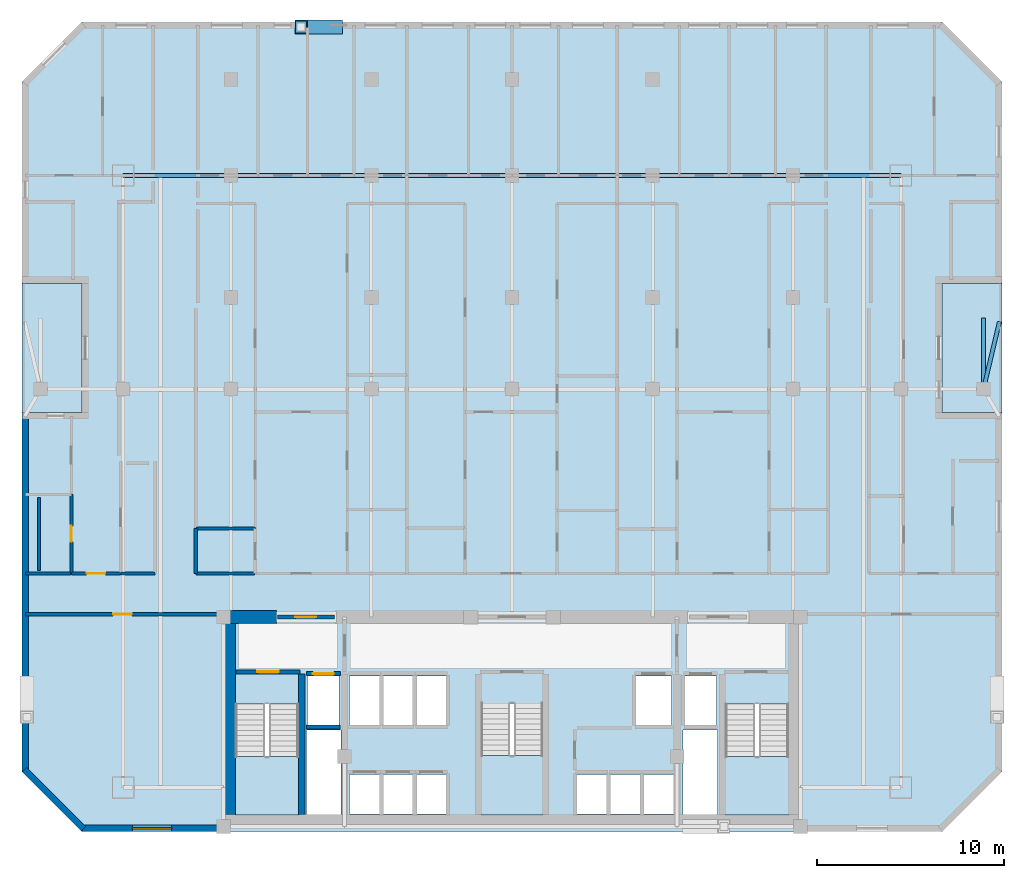
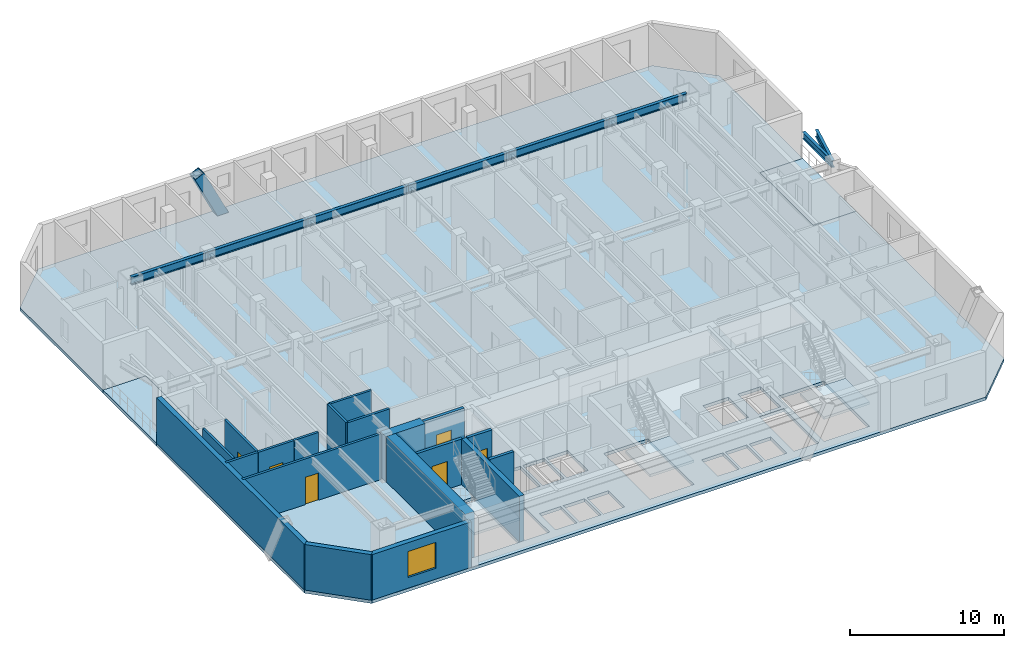
# One storey, part 2 of 11: 19 walls, 8 beams, 6 doors, 6 slabs, 1 member, 1 window, 7 openings, 3 elements without a shape of their own.
"""IFC4 building model written with IfcOpenShell, lengths in metres."""

from ifc_helpers import new_model, si_unit, direction, frame, frame_2d, origin, origin_2d, place, context, subcontext, project, spatial, polyline, rectangle, hollow_rectangle, i_section, outline, extrude, material, layer, layer_set, material_profile, profile_set, type_object, element, fill, aggregate, save


model = new_model("IFC4")

# Units and contexts
model_context = context("Model", 3, precision=1e-05, world=origin(), true_north=direction((0.0, 1.0)))
body_context = subcontext(model_context, "Body", "Model", "MODEL_VIEW")
ifc_project = project(units=[si_unit("LENGTHUNIT", "METRE"), si_unit("AREAUNIT", "SQUARE_METRE"), si_unit("VOLUMEUNIT", "CUBIC_METRE"), si_unit("PLANEANGLEUNIT", "RADIAN"), si_unit("MASSUNIT", "GRAM", prefix="KILO")], contexts=[model_context])

# Site, building, storey
site_placement = place(None, origin())
site = spatial("IfcSite", under=ifc_project, at=site_placement, CompositionType="ELEMENT")
building_placement = place(site_placement, origin())
building = spatial("IfcBuilding", under=site, at=building_placement, Name="Ventersveld Concourse Tower", CompositionType="ELEMENT")
storey_placement = place(building_placement, frame((0.0, 0.0, 111.85009765625)))
storey = spatial("IfcBuildingStorey", under=building, at=storey_placement, Name="L27", CompositionType="ELEMENT", Elevation=111.85009765625)

# Beams
ifc_material_1 = material(Name="Structural steel S355J2", Category="steel")
ifc_material_profile_1 = material_profile(ifc_material_1, i_section(OverallWidth=0.230224609375, OverallDepth=0.6171875, WebThickness=0.01318359375, FlangeThickness=0.022216796875, FilletRadius=0.0126953125, at=origin_2d()), Name="UB 610x229x140")
ifc_profile_set_1 = profile_set([ifc_material_profile_1], Name="Structural steel S355J2")
beam_type_1 = type_object("IfcBeamType", Name="GRD-UB610", PredefinedType="USERDEFINED", material=ifc_profile_set_1)
beam_1_placement = place(storey_placement, frame((8.0, 35.0, 3.291259765625), z_axis=(1.0, 0.0, 0.0), x_axis=(0.0, 1.0, 0.0)))
element("IfcBeam", 1, at=beam_1_placement, inside=storey, type_object=beam_type_1, Name="L27 E-W Grid Girder Y=35.00 #1", ObjectType="GIRDER", PredefinedType="USERDEFINED", context=body_context, shape_type="SweptSolid", body=[
    extrude(i_section(OverallWidth=0.230224609375, OverallDepth=0.6171875, WebThickness=0.01318359375, FlangeThickness=0.022216796875, FilletRadius=0.0126953125, at=origin_2d()), origin(), (0.0, 0.0, 1.0), 5.75),
])
for number, where, z_axis, x_axis, name in (
    (2, (13.75, 35.0, 3.291259765625), (1.0, 0.0, 0.0), (0.0, 1.0, 0.0), "L27 E-W Grid Girder Y=35.00 #2"),
    (3, (21.25, 35.0, 3.291259765625), (1.0, 0.0, 0.0), (0.0, 1.0, 0.0), "L27 E-W Grid Girder Y=35.00 #3"),
    (4, (28.75, 35.0, 3.291259765625), (1.0, 0.0, 0.0), (0.0, 1.0, 0.0), "L27 E-W Grid Girder Y=35.00 #4"),
    (5, (36.25, 35.0, 3.291259765625), (1.0, 0.0, 0.0), (0.0, 1.0, 0.0), "L27 E-W Grid Girder Y=35.00 #5"),
):
    element("IfcBeam", number, at=place(storey_placement, frame(where, z_axis=z_axis, x_axis=x_axis)), inside=storey, type_object=beam_type_1, Name=name, ObjectType="GIRDER", PredefinedType="USERDEFINED", context=body_context, shape_type="SweptSolid", body=[
        extrude(i_section(OverallWidth=0.230224609375, OverallDepth=0.6171875, WebThickness=0.01318359375, FlangeThickness=0.022216796875, FilletRadius=0.0126953125, at=origin_2d()), origin(), (0.0, 0.0, 1.0), 7.5),
    ])
beam_2_placement = place(storey_placement, frame((43.75, 35.0, 3.291259765625), z_axis=(1.0, 0.0, 0.0), x_axis=(0.0, 1.0, 0.0)))
element("IfcBeam", 6, at=beam_2_placement, inside=storey, type_object=beam_type_1, Name="L27 E-W Grid Girder Y=35.00 #6", ObjectType="GIRDER", PredefinedType="USERDEFINED", context=body_context, shape_type="SweptSolid", body=[
    extrude(i_section(OverallWidth=0.230224609375, OverallDepth=0.6171875, WebThickness=0.01318359375, FlangeThickness=0.022216796875, FilletRadius=0.0126953125, at=origin_2d()), origin(), (0.0, 0.0, 1.0), 5.75),
])

# Member
ifc_material_2 = material(Name="Structural steel S355ML", Category="steel")
ifc_material_profile_2 = material_profile(ifc_material_2, hollow_rectangle(XDim=0.75, YDim=0.75, WallThickness=0.044921875, at=origin_2d()), Name="BOX 750x750x45")
ifc_profile_set_2 = profile_set([ifc_material_profile_2], Name="Structural steel S355ML")
member_type = type_object("IfcMemberType", Name="MB-750x750", PredefinedType="BRACE", material=ifc_profile_set_2)
member_placement = place(storey_placement, frame((19.375, 42.919921875, -0.25), z_axis=(-0.437861906815, 0.0, 0.899042240699), x_axis=(0.0, -1.0, 0.0)))
element("IfcMember", 7, at=member_placement, inside=storey, type_object=member_type, Name="L27 Exterior Mega-Brace N (Module M06)", PredefinedType="BRACE", context=body_context, shape_type="SweptSolid", body=[
    extrude(hollow_rectangle(XDim=0.75, YDim=0.75, WallThickness=0.044921875, at=origin_2d()), origin(), (0.0, 0.0, 1.0), 4.2822265625),
])

# Beams
ifc_material_profile_3 = material_profile(ifc_material_1, i_section(OverallWidth=0.2119140625, OverallDepth=0.54443359375, WebThickness=0.0126953125, FlangeThickness=0.021240234375, FilletRadius=0.0126953125, at=origin_2d()), Name="UB 533x210x122")
ifc_profile_set_3 = profile_set([ifc_material_profile_3], Name="Structural steel S355J2")
beam_type_2 = type_object("IfcBeamType", Name="SPD-UB533", PredefinedType="SPANDREL", material=ifc_profile_set_3)
beam_3_placement = place(storey_placement, frame((53.89990234375, 23.60009765625, 3.32763671875), z_axis=(0.0, 1.0, 0.0), x_axis=(-1.0, 0.0, 0.0)))
element("IfcBeam", 8, at=beam_3_placement, inside=storey, type_object=beam_type_2, Name="L27 East Valley Spine Girder", PredefinedType="SPANDREL", context=body_context, shape_type="SweptSolid", body=[
    extrude(i_section(OverallWidth=0.2119140625, OverallDepth=0.54443359375, WebThickness=0.0126953125, FlangeThickness=0.021240234375, FilletRadius=0.0126953125, at=origin_2d()), origin(), (0.0, 0.0, 1.0), 3.7998046875),
])
beam_4_placement = place(storey_placement, frame((53.89990234375, 23.60009765625, 3.32763671875), z_axis=(0.229826547993, 0.973231605445, 0.0), x_axis=(-0.973231605445, 0.229826547993, 0.0)))
element("IfcBeam", 9, at=beam_4_placement, inside=storey, type_object=beam_type_2, Name="L27 East Valley Corner Bracket 2", PredefinedType="SPANDREL", context=body_context, shape_type="SweptSolid", body=[
    extrude(i_section(OverallWidth=0.2119140625, OverallDepth=0.54443359375, WebThickness=0.0126953125, FlangeThickness=0.021240234375, FilletRadius=0.0126953125, at=origin_2d()), origin(), (0.0, 0.0, 1.0), 3.698974609375),
])

# Slabs
ifc_material_3 = material(Name="Concrete C50/60", Category="concrete")
ifc_layer_1 = layer(ifc_material_3, 0.25)
ifc_layer_set_1 = layer_set([ifc_layer_1], Name="Concrete C50/60")
slab_type_1 = type_object("IfcSlabType", Name="SL-FLR-250", PredefinedType="FLOOR", material=ifc_layer_set_1)
slab_1_placement = place(storey_placement, frame((0.0, 0.0, -0.25)))
element("IfcSlab", 10, at=slab_1_placement, inside=storey, type_object=slab_type_1, Name="L27 Composite Floor Slab", PredefinedType="FLOOR", context=body_context, shape_type="SweptSolid", body=[
    extrude(outline(polyline([(5.800048828125, 0.0), (51.699951171875, 0.0), (54.89990234375, 3.199951171875), (54.89990234375, 22.35009765625), (51.699951171875, 22.35009765625), (51.699951171875, 29.25), (54.89990234375, 29.25), (54.89990234375, 40.0), (51.699951171875, 43.199951171875), (5.800048828125, 43.199951171875), (2.60009765625, 40.0), (2.60009765625, 29.25), (5.800048828125, 29.25), (5.800048828125, 22.35009765625), (2.60009765625, 22.35009765625), (2.60009765625, 3.199951171875), (5.800048828125, 0.0)]), holes=[polyline([(13.97998046875, 6.794921875), (13.97998046875, 0.89990234375), (17.3798828125, 0.89990234375), (17.3798828125, 6.794921875), (13.97998046875, 6.794921875)]), polyline([(40.1201171875, 6.794921875), (40.1201171875, 0.89990234375), (43.52001953125, 0.89990234375), (43.52001953125, 6.794921875), (40.1201171875, 6.794921875)]), polyline([(27.10009765625, 6.844970703125), (27.10009765625, 0.89990234375), (30.39990234375, 0.89990234375), (30.39990234375, 6.844970703125), (27.10009765625, 6.844970703125)]), polyline([(17.85009765625, 5.699951171875), (19.530029296875, 5.699951171875), (19.530029296875, 8.300048828125), (17.85009765625, 8.300048828125), (17.85009765625, 5.699951171875)]), polyline([(37.969970703125, 5.699951171875), (39.64990234375, 5.699951171875), (39.64990234375, 8.300048828125), (37.969970703125, 8.300048828125), (37.969970703125, 5.699951171875)]), polyline([(35.35009765625, 5.699951171875), (37.25, 5.699951171875), (37.25, 8.300048828125), (35.35009765625, 8.300048828125), (35.35009765625, 5.699951171875)]), polyline([(20.090087890625, 0.949951171875), (21.68994140625, 0.949951171875), (21.68994140625, 3.050048828125), (20.090087890625, 3.050048828125), (20.090087890625, 0.949951171875)]), polyline([(21.8701171875, 0.949951171875), (23.469970703125, 0.949951171875), (23.469970703125, 3.050048828125), (21.8701171875, 3.050048828125), (21.8701171875, 0.949951171875)]), polyline([(23.64990234375, 0.949951171875), (25.25, 0.949951171875), (25.25, 3.050048828125), (23.64990234375, 3.050048828125), (23.64990234375, 0.949951171875)]), polyline([(32.2099609375, 0.949951171875), (33.81005859375, 0.949951171875), (33.81005859375, 3.050048828125), (32.2099609375, 3.050048828125), (32.2099609375, 0.949951171875)]), polyline([(33.989990234375, 0.949951171875), (35.590087890625, 0.949951171875), (35.590087890625, 3.050048828125), (33.989990234375, 3.050048828125), (33.989990234375, 0.949951171875)]), polyline([(35.77001953125, 0.949951171875), (37.3701171875, 0.949951171875), (37.3701171875, 3.050048828125), (35.77001953125, 3.050048828125), (35.77001953125, 0.949951171875)]), polyline([(20.090087890625, 5.699951171875), (21.68994140625, 5.699951171875), (21.68994140625, 8.300048828125), (20.090087890625, 8.300048828125), (20.090087890625, 5.699951171875)]), polyline([(21.8701171875, 5.699951171875), (23.469970703125, 5.699951171875), (23.469970703125, 8.300048828125), (21.8701171875, 8.300048828125), (21.8701171875, 5.699951171875)]), polyline([(23.64990234375, 5.699951171875), (25.25, 5.699951171875), (25.25, 8.300048828125), (23.64990234375, 8.300048828125), (23.64990234375, 5.699951171875)]), polyline([(17.780029296875, 0.919921875), (19.6201171875, 0.919921875), (19.6201171875, 5.419921875), (17.780029296875, 5.419921875), (17.780029296875, 0.919921875)]), polyline([(37.8798828125, 0.919921875), (39.719970703125, 0.919921875), (39.719970703125, 5.419921875), (37.8798828125, 5.419921875), (37.8798828125, 0.919921875)])]), origin(), (0.0, 0.0, 1.0), 0.25),
])
slab_2_placement = place(storey_placement, frame((0.0, 0.0, -0.25)))
element("IfcSlab", 11, at=slab_2_placement, inside=storey, type_object=slab_type_1, Name="L27 Outdoor Terrace Slab NOTCH-W", PredefinedType="FLOOR", context=body_context, shape_type="SweptSolid", body=[
    extrude(outline(polyline([(2.60009765625, 22.35009765625), (5.800048828125, 22.35009765625), (5.800048828125, 29.25), (2.60009765625, 29.25), (2.60009765625, 22.35009765625)])), origin(), (0.0, 0.0, 1.0), 0.25),
])
slab_3_placement = place(storey_placement, frame((0.0, 0.0, -0.25)))
element("IfcSlab", 12, at=slab_3_placement, inside=storey, type_object=slab_type_1, Name="L27 Outdoor Terrace Slab NOTCH-E", PredefinedType="FLOOR", context=body_context, shape_type="SweptSolid", body=[
    extrude(outline(polyline([(51.699951171875, 22.35009765625), (54.89990234375, 22.35009765625), (54.89990234375, 29.25), (51.699951171875, 29.25), (51.699951171875, 22.35009765625)])), origin(), (0.0, 0.0, 1.0), 0.25),
])

# Stair, slab
stair_type_1 = type_object("IfcStairType", Name="ST-DOG-160", PredefinedType="HALF_TURN_STAIR", material=ifc_material_3)
stair_1_placement = place(storey_placement, origin())
stair_1 = element("IfcStair", 13, at=stair_1_placement, inside=storey, type_object=stair_type_1, Name="L27 Protected Tower Escape Stair ST-01", PredefinedType="HALF_TURN_STAIR")
ifc_layer_2 = layer(ifc_material_3, 0.199951171875)
ifc_layer_set_2 = layer_set([ifc_layer_2], Name="Concrete C50/60")
slab_type_2 = type_object("IfcSlabType", Name="SL-LND-200", PredefinedType="LANDING", material=ifc_layer_set_2)
slab_4_placement = place(storey_placement, frame((0.0, 0.0, 1.724853515625)))
slab_4 = element("IfcSlab", 14, at=slab_4_placement, type_object=slab_type_2, Name="ST-01 landing 1", PredefinedType="LANDING", context=body_context, shape_type="SweptSolid", body=[
    extrude(outline(polyline([(13.97998046875, 4.0), (13.97998046875, 0.89990234375), (17.3798828125, 0.89990234375), (17.3798828125, 4.0), (13.97998046875, 4.0)])), origin(), (0.0, 0.0, 1.0), 0.199951171875),
])
aggregate(stair_1, [slab_4])

stair_2_placement = place(storey_placement, origin())
stair_2 = element("IfcStair", 15, at=stair_2_placement, inside=storey, type_object=stair_type_1, Name="L27 Protected Tower Escape Stair ST-02", PredefinedType="HALF_TURN_STAIR")
slab_5_placement = place(storey_placement, frame((0.0, 0.0, 1.724853515625)))
slab_5 = element("IfcSlab", 16, at=slab_5_placement, type_object=slab_type_2, Name="ST-02 landing 1", PredefinedType="LANDING", context=body_context, shape_type="SweptSolid", body=[
    extrude(outline(polyline([(40.1201171875, 4.0), (40.1201171875, 0.89990234375), (43.52001953125, 0.89990234375), (43.52001953125, 4.0), (40.1201171875, 4.0)])), origin(), (0.0, 0.0, 1.0), 0.199951171875),
])
aggregate(stair_2, [slab_5])

stair_type_2 = type_object("IfcStairType", Name="ST-DOG-155", PredefinedType="HALF_TURN_STAIR", material=ifc_material_3)
stair_3_placement = place(storey_placement, origin())
stair_3 = element("IfcStair", 17, at=stair_3_placement, inside=storey, type_object=stair_type_2, Name="L27 Protected Central Core Escape Stair ST-03", PredefinedType="HALF_TURN_STAIR")
slab_6_placement = place(storey_placement, frame((0.0, 0.0, 1.724853515625)))
slab_6 = element("IfcSlab", 18, at=slab_6_placement, type_object=slab_type_2, Name="ST-03 landing 1", PredefinedType="LANDING", context=body_context, shape_type="SweptSolid", body=[
    extrude(outline(polyline([(27.10009765625, 4.050048828125), (27.10009765625, 0.89990234375), (30.39990234375, 0.89990234375), (30.39990234375, 4.050048828125), (27.10009765625, 4.050048828125)])), origin(), (0.0, 0.0, 1.0), 0.199951171875),
])
aggregate(stair_3, [slab_6])

# Walls
ifc_material_4 = material(Name="Concrete C60/75", Category="concrete")
ifc_layer_3 = layer(ifc_material_4, 0.35009765625)
ifc_layer_set_3 = layer_set([ifc_layer_3], Name="Concrete C60/75")
wall_type_1 = type_object("IfcWallType", Name="WL-CORE-350L", PredefinedType="SHEAR", material=ifc_layer_set_3)
wall_1_placement = place(storey_placement, frame((17.5400390625, 0.919921875, 0.0), z_axis=(0.0, 0.0, 1.0), x_axis=(0.0, 1.0, 0.0)))
element("IfcWall", 19, at=wall_1_placement, inside=storey, type_object=wall_type_1, Name="L27 Core Internal Shear Web W-ST1-E", PredefinedType="SHEAR", context=body_context, shape_type="SweptSolid", body=[
    extrude(rectangle(XDim=7.5, YDim=0.35009765625, at=frame_2d((3.75, 0.0))), origin(), (0.0, 0.0, 1.0), 3.599853515625),
])
ifc_layer_4 = layer(ifc_material_4, 0.699951171875)
ifc_layer_set_4 = layer_set([ifc_layer_4], Name="Concrete C60/75")
wall_type_2 = type_object("IfcWallType", Name="WL-CORE-700", PredefinedType="SHEAR", material=ifc_layer_set_4)
wall_2_placement = place(storey_placement, frame((13.64990234375, 0.919921875, 0.0), z_axis=(0.0, 0.0, 1.0), x_axis=(0.0, 1.0, 0.0)))
element("IfcWall", 20, at=wall_2_placement, inside=storey, type_object=wall_type_2, Name="L27 Rear Core West Shear Wall", PredefinedType="SHEAR", context=body_context, shape_type="SweptSolid", body=[
    extrude(rectangle(XDim=10.530029296875, YDim=0.699951171875, at=frame_2d((5.26513671875, 0.0))), origin(), (0.0, 0.0, 1.0), 3.599853515625),
])
wall_3_placement = place(storey_placement, frame((13.25, 11.449951171875, 0.0), z_axis=(0.0, 0.0, 1.0), x_axis=(1.0, 0.0, 0.0)))
element("IfcWall", 21, at=wall_3_placement, inside=storey, type_object=wall_type_2, Name="L27 Rear Core North Shear Wall NW", PredefinedType="SHEAR", context=body_context, shape_type="SweptSolid", body=[
    extrude(rectangle(XDim=2.949951171875, YDim=0.699951171875, at=frame_2d((1.47509765625, 0.0))), origin(), (0.0, 0.0, 1.0), 3.599853515625),
])

# Wall, opening, door
ifc_material_5 = material(Name="Fire-rated autoclaved aerated masonry blockwork", Category="masonry")
ifc_layer_5 = layer(ifc_material_5, 0.179931640625)
ifc_layer_set_5 = layer_set([ifc_layer_5], Name="Fire-rated autoclaved aerated masonry blockwork")
wall_type_3 = type_object("IfcWallType", Name="WL-CORR-180", PredefinedType="PARTITIONING", material=ifc_layer_set_5)
wall_4_placement = place(storey_placement, frame((2.81005859375, 11.60009765625, 0.0), z_axis=(0.0, 0.0, 1.0), x_axis=(1.0, 0.0, 0.0)))
wall_4 = element("IfcWall", 22, at=wall_4_placement, inside=storey, type_object=wall_type_3, Name="L27 Interior Partition SP-L27-SW-GAL-SP-L27-COR", PredefinedType="PARTITIONING", context=body_context, shape_type="SweptSolid", body=[
    extrude(rectangle(XDim=10.3349609375, YDim=0.179931640625, at=frame_2d((5.16748046875, 0.0))), origin(), (0.0, 0.0, 1.0), 3.599853515625),
])
opening_1_placement = place(wall_4_placement, frame((4.66748046875, 0.0, 0.0)))
opening_1 = element("IfcOpeningElement", 23, at=opening_1_placement, cuts=wall_4, Name="Opening FD3", PredefinedType="OPENING", context=body_context, shape_type="SweptSolid", body=[
    extrude(rectangle(XDim=1.0, YDim=2.14990234375, at=frame_2d((0.5, 1.074951171875))), frame((0.0, 0.10009765625, 0.0), z_axis=(0.0, -1.0, 0.0), x_axis=(1.0, 0.0, 0.0)), (0.0, 0.0, 1.0), 0.199951171875),
])
ifc_material_6 = material(Name="Solid-core hardwood veneer timber", Category="wood")
door_type_1 = type_object("IfcDoorType", Name="DR-FLAT-100", OperationType="NOTDEFINED", PredefinedType="DOOR", material=ifc_material_6)
door_1_placement = place(opening_1_placement, origin())
door_1 = element("IfcDoor", 24, at=door_1_placement, inside=storey, type_object=door_type_1, Name="L27 Interior Door SP-L27-SW-GAL to SP-L27-COR (D-L27-1320)", OperationType="SINGLE_SWING_RIGHT", OverallHeight=2.14990234375, OverallWidth=1.0, PredefinedType="DOOR", context=body_context, shape_type="SweptSolid", body=[
    extrude(rectangle(XDim=1.0, YDim=2.14990234375, at=frame_2d((0.5, 1.074951171875))), frame((0.0, 0.02490234375, 0.0), z_axis=(0.0, -1.0, 0.0), x_axis=(1.0, 0.0, 0.0)), (0.0, 0.0, 1.0), 0.050048828125),
])
fill(opening_1, door_1)

wall_5_placement = place(storey_placement, frame((5.2392578125, 13.77001953125, 0.0), z_axis=(0.0, 0.0, 1.0), x_axis=(1.0, 0.0, 0.0)))
wall_5 = element("IfcWall", 25, at=wall_5_placement, inside=storey, type_object=wall_type_3, Name="L27 Interior Partition SP-L27-COR-SP-L27-27NW-LIV", PredefinedType="PARTITIONING", context=body_context, shape_type="SweptSolid", body=[
    extrude(rectangle(XDim=2.635986328125, YDim=0.179931640625, at=frame_2d((1.31787109375, 0.0))), origin(), (0.0, 0.0, 1.0), 3.599853515625),
])
opening_2_placement = place(wall_5_placement, frame((0.818115234375, 0.0, 0.0)))
opening_2 = element("IfcOpeningElement", 26, at=opening_2_placement, cuts=wall_5, Name="Opening FD3", PredefinedType="OPENING", context=body_context, shape_type="SweptSolid", body=[
    extrude(rectangle(XDim=1.0, YDim=2.14990234375, at=frame_2d((0.5, 1.074951171875))), frame((0.0, 0.10009765625, 0.0), z_axis=(0.0, -1.0, 0.0), x_axis=(1.0, 0.0, 0.0)), (0.0, 0.0, 1.0), 0.199951171875),
])
door_2_placement = place(opening_2_placement, origin())
door_2 = element("IfcDoor", 27, at=door_2_placement, inside=storey, type_object=door_type_1, Name="L27 Interior Door SP-L27-COR to SP-L27-27NW-LIV (FD-L27-1322)", OperationType="SINGLE_SWING_RIGHT", OverallHeight=2.14990234375, OverallWidth=1.0, PredefinedType="DOOR", context=body_context, shape_type="SweptSolid", body=[
    extrude(rectangle(XDim=1.0, YDim=2.14990234375, at=frame_2d((0.5, 1.074951171875))), frame((0.0, 0.02490234375, 0.0), z_axis=(0.0, -1.0, 0.0), x_axis=(1.0, 0.0, 0.0)), (0.0, 0.0, 1.0), 0.050048828125),
])
fill(opening_2, door_2)

# Walls
wall_6_placement = place(storey_placement, frame((2.81005859375, 13.77001953125, 0.0), z_axis=(0.0, 0.0, 1.0), x_axis=(1.0, 0.0, 0.0)))
element("IfcWall", 28, at=wall_6_placement, inside=storey, type_object=wall_type_3, Name="L27 Interior Partition SP-L27-COR-SP-L27-27NW-BATH", PredefinedType="PARTITIONING", context=body_context, shape_type="SweptSolid", body=[
    extrude(rectangle(XDim=2.399169921875, YDim=0.179931640625, at=frame_2d((1.19970703125, 0.0))), origin(), (0.0, 0.0, 1.0), 3.599853515625),
])
wall_7_placement = place(storey_placement, frame((7.9052734375, 13.77001953125, 0.0), z_axis=(0.0, 0.0, 1.0), x_axis=(1.0, 0.0, 0.0)))
element("IfcWall", 29, at=wall_7_placement, inside=storey, type_object=wall_type_3, Name="L27 Interior Partition SP-L27-COR-SP-L27-27NW-KIT", PredefinedType="PARTITIONING", context=body_context, shape_type="SweptSolid", body=[
    extrude(rectangle(XDim=1.809814453125, YDim=0.179931640625, at=frame_2d((0.90478515625, 0.0))), origin(), (0.0, 0.0, 1.0), 3.599853515625),
])
wall_8_placement = place(storey_placement, frame((11.885009765625, 13.77001953125, 0.0), z_axis=(0.0, 0.0, 1.0), x_axis=(1.0, 0.0, 0.0)))
element("IfcWall", 30, at=wall_8_placement, inside=storey, type_object=wall_type_3, Name="L27 Interior Partition SP-L27-COR-SP-L27-27N1-BATH", PredefinedType="PARTITIONING", context=body_context, shape_type="SweptSolid", body=[
    extrude(rectangle(XDim=3.13623046875, YDim=0.179931640625, at=frame_2d((1.568115234375, 0.0))), origin(), (0.0, 0.0, 1.0), 3.599853515625),
])
wall_9_placement = place(storey_placement, frame((11.889892578125, 13.764892578125, 0.0), z_axis=(0.0, 0.0, 1.0), x_axis=(0.0, 1.0, 0.0)))
element("IfcWall", 31, at=wall_9_placement, inside=storey, type_object=wall_type_3, Name="L27 Interior Partition SP-L27-COR-SP-L27-27N1-BATH", PredefinedType="PARTITIONING", context=body_context, shape_type="SweptSolid", body=[
    extrude(rectangle(XDim=2.400390625, YDim=0.179931640625, at=frame_2d((1.2001953125, 0.0))), origin(), (0.0, 0.0, 1.0), 3.599853515625),
])
ifc_layer_6 = layer(ifc_material_5, 0.219970703125)
ifc_layer_set_6 = layer_set([ifc_layer_6], Name="Fire-rated autoclaved aerated masonry blockwork")
wall_type_4 = type_object("IfcWallType", Name="WL-HOIST-220", PredefinedType="SOLIDWALL", material=ifc_layer_set_6)
wall_10_placement = place(storey_placement, frame((17.800048828125, 5.590087890625, 0.0), z_axis=(0.0, 0.0, 1.0), x_axis=(1.0, 0.0, 0.0)))
element("IfcWall", 32, at=wall_10_placement, inside=storey, type_object=wall_type_4, Name="L27 Lift Hoistway Back Wall FFL-01", PredefinedType="SOLIDWALL", context=body_context, shape_type="SweptSolid", body=[
    extrude(rectangle(XDim=1.780029296875, YDim=0.219970703125, at=frame_2d((0.89013671875, 0.0))), origin(), (0.0, 0.0, 1.0), 3.599853515625),
])

# Wall, opening, door
wall_11_placement = place(storey_placement, frame((17.780029296875, 8.429931640625, 0.0), z_axis=(0.0, 0.0, 1.0), x_axis=(1.0, 0.0, 0.0)))
wall_11 = element("IfcWall", 33, at=wall_11_placement, inside=storey, type_object=wall_type_4, Name="L27 Lift Hoistway Front Wall FFL-01", PredefinedType="SOLIDWALL", context=body_context, shape_type="SweptSolid", body=[
    extrude(rectangle(XDim=1.820068359375, YDim=0.219970703125, at=frame_2d((0.91015625, 0.0))), origin(), (0.0, 0.0, 1.0), 3.599853515625),
])
opening_3_placement = place(wall_11_placement, frame((0.35009765625, 0.0, 0.0)))
opening_3 = element("IfcOpeningElement", 34, at=opening_3_placement, cuts=wall_11, Name="Opening LD1", PredefinedType="OPENING", context=body_context, shape_type="SweptSolid", body=[
    extrude(rectangle(XDim=1.1201171875, YDim=2.25, at=frame_2d((0.56005859375, 1.125))), frame((0.0, 0.1201171875, 0.0), z_axis=(0.0, -1.0, 0.0), x_axis=(1.0, 0.0, 0.0)), (0.0, 0.0, 1.0), 0.239990234375),
])
ifc_material_7 = material(Name="Brushed stainless steel 316", Category="steel")
door_type_2 = type_object("IfcDoorType", Name="LD-FF-112", OperationType="SLIDING_TO_LEFT", PredefinedType="DOOR", material=ifc_material_7)
door_3_placement = place(opening_3_placement, origin())
door_3 = element("IfcDoor", 35, at=door_3_placement, inside=storey, type_object=door_type_2, Name="L27 Lift landing door FFL-01 (LD-L27-FFL-01)", OperationType="SLIDING_TO_LEFT", OverallHeight=2.25, OverallWidth=1.1201171875, PredefinedType="DOOR", context=body_context, shape_type="SweptSolid", body=[
    extrude(rectangle(XDim=1.1201171875, YDim=2.25, at=frame_2d((0.56005859375, 1.125))), frame((0.0, 0.02490234375, 0.0), z_axis=(0.0, -1.0, 0.0), x_axis=(1.0, 0.0, 0.0)), (0.0, 0.0, 1.0), 0.050048828125),
])
fill(opening_3, door_3)

wall_12_placement = place(storey_placement, frame((14.0400390625, 8.52001953125, 0.0), z_axis=(0.0, 0.0, 1.0), x_axis=(1.0, 0.0, 0.0)))
wall_12 = element("IfcWall", 36, at=wall_12_placement, inside=storey, type_object=wall_type_4, Name="L27 Escape Stair ST01 Fire Wall", PredefinedType="SOLIDWALL", context=body_context, shape_type="SweptSolid", body=[
    extrude(rectangle(XDim=3.39990234375, YDim=0.219970703125, at=frame_2d((1.699951171875, 0.0))), origin(), (0.0, 0.0, 1.0), 3.599853515625),
])
opening_4_placement = place(wall_12_placement, frame((1.125, 0.0, 0.0)))
opening_4 = element("IfcOpeningElement", 37, at=opening_4_placement, cuts=wall_12, Name="Opening FD1", PredefinedType="OPENING", context=body_context, shape_type="SweptSolid", body=[
    extrude(rectangle(XDim=1.14990234375, YDim=2.199951171875, at=frame_2d((0.574951171875, 1.10009765625))), frame((0.0, 0.1201171875, 0.0), z_axis=(0.0, -1.0, 0.0), x_axis=(1.0, 0.0, 0.0)), (0.0, 0.0, 1.0), 0.239990234375),
])
ifc_material_8 = material(Name="Galvanised painted steel", Category="steel")
door_type_3 = type_object("IfcDoorType", Name="DR-STAIR-115", OperationType="NOTDEFINED", PredefinedType="DOOR", material=ifc_material_8)
door_4_placement = place(opening_4_placement, origin())
door_4 = element("IfcDoor", 38, at=door_4_placement, inside=storey, type_object=door_type_3, Name="L27 Escape Stair Door ST01 (SD-L27-1311)", OperationType="SINGLE_SWING_LEFT", OverallHeight=2.199951171875, OverallWidth=1.14990234375, PredefinedType="DOOR", context=body_context, shape_type="SweptSolid", body=[
    extrude(rectangle(XDim=1.14990234375, YDim=2.199951171875, at=frame_2d((0.574951171875, 1.10009765625))), frame((0.0, 0.02490234375, 0.0), z_axis=(0.0, -1.0, 0.0), x_axis=(1.0, 0.0, 0.0)), (0.0, 0.0, 1.0), 0.050048828125),
])
fill(opening_4, door_4)

wall_13_placement = place(storey_placement, frame((16.22998046875, 11.449951171875, 0.0), z_axis=(0.0, 0.0, 1.0), x_axis=(1.0, 0.0, 0.0)))
wall_13 = element("IfcWall", 39, at=wall_13_placement, inside=storey, type_object=wall_type_4, Name="L27 Core North Fire Portal FFLW-OUT", PredefinedType="SOLIDWALL", context=body_context, shape_type="SweptSolid", body=[
    extrude(rectangle(XDim=3.0400390625, YDim=0.219970703125, at=frame_2d((1.52001953125, 0.0))), origin(), (0.0, 0.0, 1.0), 3.599853515625),
])
opening_5_placement = place(wall_13_placement, frame((0.969970703125, 0.0, 0.0)))
opening_5 = element("IfcOpeningElement", 40, at=opening_5_placement, cuts=wall_13, Name="Opening FD2", PredefinedType="OPENING", context=body_context, shape_type="SweptSolid", body=[
    extrude(rectangle(XDim=1.10009765625, YDim=2.199951171875, at=frame_2d((0.550048828125, 1.10009765625))), frame((0.0, 0.1201171875, 0.0), z_axis=(0.0, -1.0, 0.0), x_axis=(1.0, 0.0, 0.0)), (0.0, 0.0, 1.0), 0.239990234375),
])
door_type_4 = type_object("IfcDoorType", Name="DR-FFL-110", OperationType="NOTDEFINED", PredefinedType="DOOR", material=ifc_material_8)
door_5_placement = place(opening_5_placement, origin())
door_5 = element("IfcDoor", 41, at=door_5_placement, inside=storey, type_object=door_type_4, Name="L27 Core Lobby Fire Door FFLW-OUT (FD-L27-1316)", OperationType="SINGLE_SWING_RIGHT", OverallHeight=2.199951171875, OverallWidth=1.10009765625, PredefinedType="DOOR", context=body_context, shape_type="SweptSolid", body=[
    extrude(rectangle(XDim=1.10009765625, YDim=2.199951171875, at=frame_2d((0.550048828125, 1.10009765625))), frame((0.0, 0.02490234375, 0.0), z_axis=(0.0, -1.0, 0.0), x_axis=(1.0, 0.0, 0.0)), (0.0, 0.0, 1.0), 0.050048828125),
])
fill(opening_5, door_5)

# Wall, opening, window
ifc_material_9 = material(Name="Precast concrete C45/55", Category="concrete")
ifc_layer_7 = layer(ifc_material_9, 0.35009765625)
ifc_layer_set_7 = layer_set([ifc_layer_7], Name="Precast concrete C45/55")
wall_type_5 = type_object("IfcWallType", Name="WL-PREC-350", PredefinedType="SOLIDWALL", material=ifc_layer_set_7)
wall_14_placement = place(storey_placement, frame((5.840087890625, 0.179931640625, 0.0), z_axis=(0.0, 0.0, 1.0), x_axis=(1.0, 0.0, 0.0)))
wall_14 = element("IfcWall", 42, at=wall_14_placement, inside=storey, type_object=wall_type_5, Name="L27 South-West Flank Precast Wall", PredefinedType="SOLIDWALL", context=body_context, shape_type="SweptSolid", body=[
    extrude(rectangle(XDim=7.409912109375, YDim=0.35009765625, at=frame_2d((3.705078125, 0.0))), origin(), (0.0, 0.0, 1.0), 3.599853515625),
])
opening_6_placement = place(wall_14_placement, frame((2.655029296875, 0.0, 0.85009765625)))
opening_6 = element("IfcOpeningElement", 43, at=opening_6_placement, cuts=wall_14, Name="Opening W7", PredefinedType="OPENING", context=body_context, shape_type="SweptSolid", body=[
    extrude(rectangle(XDim=2.10009765625, YDim=2.050048828125, at=frame_2d((1.050048828125, 1.02490234375))), frame((0.0, 0.18505859375, 0.0), z_axis=(0.0, -1.0, 0.0), x_axis=(1.0, 0.0, 0.0)), (0.0, 0.0, 1.0), 0.3701171875),
])
ifc_material_10 = material(Name="Tempered acoustic Low-E IGU", Category="glass")
window_type = type_object("IfcWindowType", Name="WIN-210x205", PartitioningType="SINGLE_PANEL", PredefinedType="WINDOW", material=ifc_material_10)
window_placement = place(opening_6_placement, origin())
window = element("IfcWindow", 44, at=window_placement, inside=storey, type_object=window_type, Name="L27 Punched Low-E Window W-0319", OverallHeight=2.050048828125, OverallWidth=2.10009765625, PartitioningType="SINGLE_PANEL", PredefinedType="WINDOW", context=body_context, shape_type="SweptSolid", body=[
    extrude(rectangle(XDim=2.10009765625, YDim=2.050048828125, at=frame_2d((1.050048828125, 1.02490234375))), frame((0.0, 0.030029296875, 0.0), z_axis=(0.0, -1.0, 0.0), x_axis=(1.0, 0.0, 0.0)), (0.0, 0.0, 1.0), 0.06005859375),
])
fill(opening_6, window)

# Walls
wall_15_placement = place(storey_placement, frame((2.77490234375, 22.31005859375, 0.0), z_axis=(0.0, 0.0, 1.0), x_axis=(0.0, -1.0, 0.0)))
element("IfcWall", 45, at=wall_15_placement, inside=storey, type_object=wall_type_5, Name="L27 Highveld Precast Facade Wall E15", PredefinedType="SOLIDWALL", context=body_context, shape_type="SweptSolid", body=[
    extrude(rectangle(XDim=19.070068359375, YDim=0.35009765625, at=frame_2d((9.53515625, 0.0))), origin(), (0.0, 0.0, 1.0), 3.599853515625),
])
wall_16_placement = place(storey_placement, frame((2.751953125, 3.29541015625, 0.0), z_axis=(0.0, 0.0, 1.0), x_axis=(0.707134240044, -0.707079321262, 0.0)))
element("IfcWall", 46, at=wall_16_placement, inside=storey, type_object=wall_type_5, Name="L27 Highveld Precast Facade Wall E16", PredefinedType="SOLIDWALL", context=body_context, shape_type="SweptSolid", body=[
    extrude(rectangle(XDim=4.445556640625, YDim=0.35009765625, at=frame_2d((2.22265625, 0.0))), origin(), (0.0, 0.0, 1.0), 3.599853515625),
])

# Wall, opening, door
ifc_material_11 = material(Name="Autoclaved aerated masonry blockwork", Category="masonry")
ifc_layer_8 = layer(ifc_material_11, 0.1650390625)
ifc_layer_set_8 = layer_set([ifc_layer_8], Name="Autoclaved aerated masonry blockwork")
wall_type_6 = type_object("IfcWallType", Name="WL-WET-165", PredefinedType="PLUMBINGWALL", material=ifc_layer_set_8)
wall_17_placement = place(storey_placement, frame((5.244384765625, 13.764892578125, 0.0), z_axis=(0.0, 0.0, 1.0), x_axis=(0.0, 1.0, 0.0)))
wall_17 = element("IfcWall", 47, at=wall_17_placement, inside=storey, type_object=wall_type_6, Name="L27 Interior Partition SP-L27-27NW-LIV-SP-L27-27NW-BATH", PredefinedType="PLUMBINGWALL", context=body_context, shape_type="SweptSolid", body=[
    extrude(rectangle(XDim=4.228515625, YDim=0.1650390625, at=frame_2d((2.1142578125, 0.0))), origin(), (0.0, 0.0, 1.0), 3.599853515625),
])
opening_7_placement = place(wall_17_placement, frame((1.689208984375, 0.0, 0.0)))
opening_7 = element("IfcOpeningElement", 48, at=opening_7_placement, cuts=wall_17, Name="Opening ID2", PredefinedType="OPENING", context=body_context, shape_type="SweptSolid", body=[
    extrude(rectangle(XDim=0.85009765625, YDim=2.10009765625, at=frame_2d((0.425048828125, 1.050048828125))), frame((0.0, 0.092529296875, 0.0), z_axis=(0.0, -1.0, 0.0), x_axis=(1.0, 0.0, 0.0)), (0.0, 0.0, 1.0), 0.18505859375),
])
door_type_5 = type_object("IfcDoorType", Name="DR-BATH-085", OperationType="NOTDEFINED", PredefinedType="DOOR", material=ifc_material_6)
door_6_placement = place(opening_7_placement, origin())
door_6 = element("IfcDoor", 49, at=door_6_placement, inside=storey, type_object=door_type_5, Name="L27 Interior Door SP-L27-27NW-LIV to SP-L27-27NW-BATH (D-L27-1327)", OperationType="SINGLE_SWING_LEFT", OverallHeight=2.10009765625, OverallWidth=0.85009765625, PredefinedType="DOOR", context=body_context, shape_type="SweptSolid", body=[
    extrude(rectangle(XDim=0.85009765625, YDim=2.10009765625, at=frame_2d((0.425048828125, 1.050048828125))), frame((0.0, 0.02490234375, 0.0), z_axis=(0.0, -1.0, 0.0), x_axis=(1.0, 0.0, 0.0)), (0.0, 0.0, 1.0), 0.050048828125),
])
fill(opening_7, door_6)

# Walls
wall_18_placement = place(storey_placement, frame((11.885009765625, 16.16015625, 0.0), z_axis=(0.0, 0.0, 1.0), x_axis=(1.0, 0.0, 0.0)))
element("IfcWall", 50, at=wall_18_placement, inside=storey, type_object=wall_type_6, Name="L27 Interior Partition SP-L27-27N1-BATH-SP-L27-27N1-OFFL0", PredefinedType="PLUMBINGWALL", context=body_context, shape_type="SweptSolid", body=[
    extrude(rectangle(XDim=3.17626953125, YDim=0.1650390625, at=frame_2d((1.588134765625, 0.0))), origin(), (0.0, 0.0, 1.0), 3.599853515625),
])
wall_19_placement = place(storey_placement, frame((3.52001953125, 13.93505859375, 0.0), z_axis=(0.0, 0.0, 1.0), x_axis=(0.0, 1.0, 0.0)))
element("IfcWall", 51, at=wall_19_placement, inside=storey, type_object=wall_type_6, Name="L27 Room Enclosure Wall SP-L27-27NW-BATH", PredefinedType="PLUMBINGWALL", context=body_context, shape_type="SweptSolid", body=[
    extrude(rectangle(XDim=3.888427734375, YDim=0.1650390625, at=frame_2d((1.9443359375, 0.0))), origin(), (0.0, 0.0, 1.0), 3.599853515625),
])

save(model, "model.ifc")
